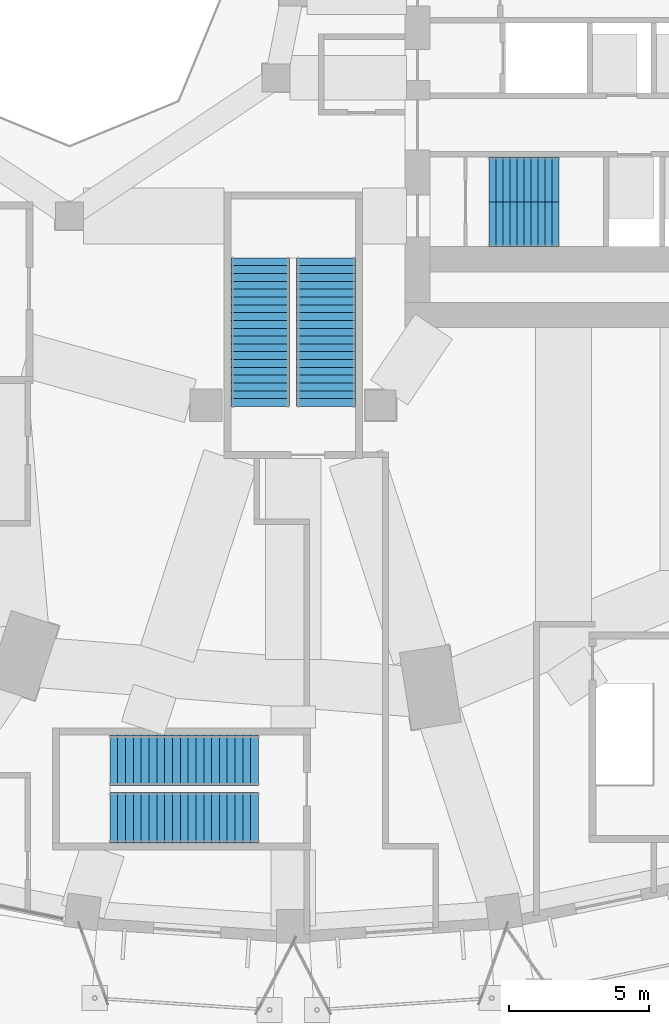
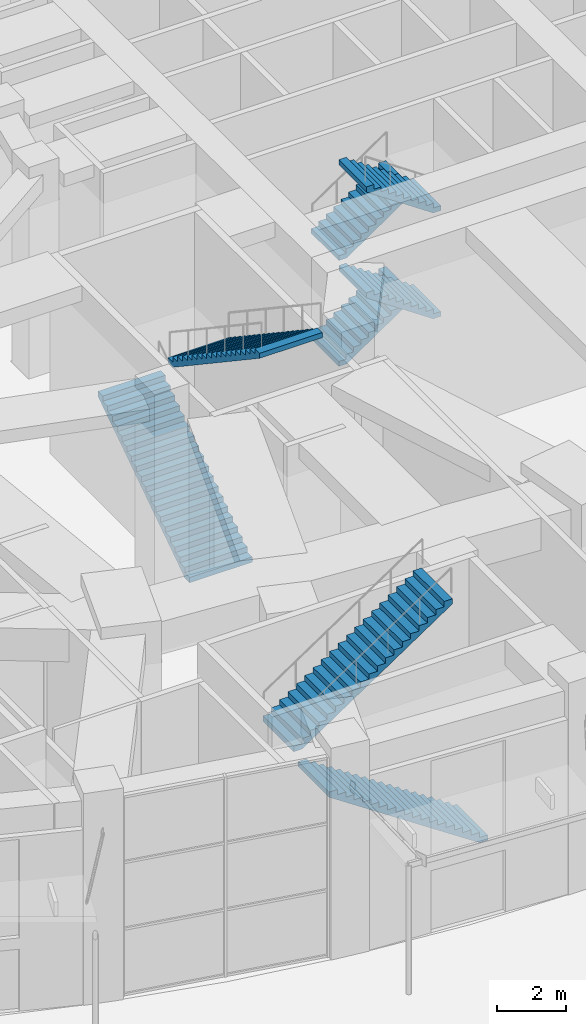
# One storey, part 41 of 60: 8 stair flights, 3 elements without a shape of their own.
"""IFC4 building model written with IfcOpenShell, lengths in metres."""

from ifc_helpers import new_model, si_unit, direction, frame, origin, place, context, subcontext, project, spatial, polyline, outline, extrude, material, type_object, element, aggregate, save


model = new_model("IFC4")

# Units and contexts
model_context = context("Model", 3, precision=1e-05, world=origin(), true_north=direction((0.0, 1.0)))
body_context = subcontext(model_context, "Body", "Model", "MODEL_VIEW")
ifc_project = project(units=[si_unit("LENGTHUNIT", "METRE"), si_unit("AREAUNIT", "SQUARE_METRE"), si_unit("VOLUMEUNIT", "CUBIC_METRE"), si_unit("PLANEANGLEUNIT", "RADIAN"), si_unit("MASSUNIT", "GRAM", prefix="KILO")], contexts=[model_context])

# Site, building, storey
site_placement = place(None, origin())
site = spatial("IfcSite", under=ifc_project, at=site_placement, CompositionType="ELEMENT")
building_placement = place(site_placement, origin())
building = spatial("IfcBuilding", under=site, at=building_placement, Name="Taillehof Tower", CompositionType="ELEMENT")
storey_placement = place(building_placement, origin())
storey = spatial("IfcBuildingStorey", under=building, at=storey_placement, Name="L00", CompositionType="ELEMENT", Elevation=0.0)

# Stair, stair flights
ifc_material_1 = material(Name="Concrete C40/50", Category="concrete")
stair_type_1 = type_object("IfcStairType", Name="Exit stair half-turn", PredefinedType="HALF_TURN_STAIR", material=ifc_material_1)
stair_1_placement = place(storey_placement, origin())
stair_1 = element("IfcStair", 1, at=stair_1_placement, inside=storey, type_object=stair_type_1, Name="Exit stair S2", PredefinedType="HALF_TURN_STAIR")
ifc_material_2 = material(Name="Concrete C40/50", Category="concrete")
stair_flight_type_1 = type_object("IfcStairFlightType", Name="Stair flight 1600 riser 170.5 going 250", PredefinedType="STRAIGHT", material=ifc_material_2)
stair_flight_1_placement = place(storey_placement, frame((7.0, -6.699951171875, 0.0), z_axis=(0.0, 0.0, 1.0), x_axis=(1.0, 0.0, 0.0)))
stair_flight_1 = element("IfcStairFlight", 2, at=stair_flight_1_placement, type_object=stair_flight_type_1, Name="S2 flight 1", NumberOfRisers=11, NumberOfTreads=10, PredefinedType="STRAIGHT", RiserHeight=0.170454545, TreadLength=0.25, context=body_context, shape_type="SweptSolid", body=[
    extrude(outline(polyline([(0.0, 0.0), (0.0, 0.005126953125), (0.0, 0.010009765625), (0.0, 0.01513671875), (0.0, 0.02001953125), (0.0, 0.025146484375), (0.0, 0.030029296875), (0.0, 0.03515625), (0.0, 0.0400390625), (0.0, 0.045166015625), (0.0, 0.050048828125), (0.0, 0.05517578125), (0.0, 0.06005859375), (0.0, 0.065185546875), (0.0, 0.070068359375), (0.0, 0.0751953125), (0.0, 0.080322265625), (0.0, 0.085205078125), (0.0, 0.09033203125), (0.0, 0.09521484375), (0.0, 0.100341796875), (0.0, 0.105224609375), (0.0, 0.1103515625), (0.0, 0.115234375), (0.0, 0.120361328125), (0.0, 0.125244140625), (0.0, 0.13037109375), (0.0, 0.13525390625), (0.0, 0.140380859375), (0.0, 0.1455078125), (0.0, 0.150390625), (0.0, 0.155517578125), (0.0, 0.160400390625), (0.0, 0.16552734375), (0.0, 0.17041015625), (0.25, 0.17041015625), (0.25, 0.3408203125), (0.5, 0.3408203125), (0.5, 0.511474609375), (0.75, 0.511474609375), (0.75, 0.681884765625), (1.0, 0.681884765625), (1.0, 0.852294921875), (1.25, 0.852294921875), (1.25, 1.022705078125), (1.5, 1.022705078125), (1.5, 1.193115234375), (1.75, 1.193115234375), (1.75, 1.363525390625), (2.0, 1.363525390625), (2.0, 1.5341796875), (2.25, 1.5341796875), (2.25, 1.70458984375), (2.5, 1.70458984375), (2.5, 1.69921875), (2.5, 1.69384765625), (2.5, 1.6884765625), (2.5, 1.68310546875), (2.5, 1.677978515625), (2.5, 1.672607421875), (2.5, 1.667236328125), (2.5, 1.661865234375), (2.5, 1.656494140625), (2.5, 1.651123046875), (2.5, 1.645751953125), (2.5, 1.640625), (2.5, 1.63525390625), (2.5, 1.6298828125), (2.5, 1.62451171875), (2.5, 1.619140625), (2.5, 1.61376953125), (2.5, 1.6083984375), (2.5, 1.603271484375), (2.5, 1.597900390625), (2.5, 1.592529296875), (2.5, 1.587158203125), (2.5, 1.581787109375), (2.5, 1.576416015625), (2.5, 1.571044921875), (2.5, 1.56591796875), (2.5, 1.560546875), (2.5, 1.55517578125), (2.5, 1.5498046875), (2.5, 1.54443359375), (2.5, 1.5390625), (2.5, 1.53369140625), (2.5, 1.528564453125), (2.5, 1.523193359375), (0.26611328125, 0.0), (0.0, 0.0)])), frame((0.0, 0.800048828125, 0.0), z_axis=(0.0, -1.0, 0.0), x_axis=(1.0, 0.0, 0.0)), (0.0, 0.0, 1.0), 1.6),
])
stair_flight_2_placement = place(storey_placement, frame((9.5, -8.300048828125, 1.875), z_axis=(0.0, 0.0, 1.0), x_axis=(-1.0, 0.0, 0.0)))
stair_flight_2 = element("IfcStairFlight", 3, at=stair_flight_2_placement, type_object=stair_flight_type_1, Name="S2 flight 2", NumberOfRisers=11, NumberOfTreads=10, PredefinedType="STRAIGHT", RiserHeight=0.170454545, TreadLength=0.25, context=body_context, shape_type="SweptSolid", body=[
    extrude(outline(polyline([(0.0, 0.0), (0.0, 0.005126953125), (0.0, 0.010009765625), (0.0, 0.01513671875), (0.0, 0.02001953125), (0.0, 0.025146484375), (0.0, 0.030029296875), (0.0, 0.03515625), (0.0, 0.0400390625), (0.0, 0.045166015625), (0.0, 0.050048828125), (0.0, 0.05517578125), (0.0, 0.06005859375), (0.0, 0.065185546875), (0.0, 0.070068359375), (0.0, 0.0751953125), (0.0, 0.080322265625), (0.0, 0.085205078125), (0.0, 0.09033203125), (0.0, 0.09521484375), (0.0, 0.100341796875), (0.0, 0.105224609375), (0.0, 0.1103515625), (0.0, 0.115234375), (0.0, 0.120361328125), (0.0, 0.125244140625), (0.0, 0.13037109375), (0.0, 0.13525390625), (0.0, 0.140380859375), (0.0, 0.1455078125), (0.0, 0.150390625), (0.0, 0.155517578125), (0.0, 0.160400390625), (0.0, 0.16552734375), (0.0, 0.17041015625), (0.25, 0.17041015625), (0.25, 0.3408203125), (0.5, 0.3408203125), (0.5, 0.511474609375), (0.75, 0.511474609375), (0.75, 0.681884765625), (1.0, 0.681884765625), (1.0, 0.852294921875), (1.25, 0.852294921875), (1.25, 1.022705078125), (1.5, 1.022705078125), (1.5, 1.193115234375), (1.75, 1.193115234375), (1.75, 1.363525390625), (2.0, 1.363525390625), (2.0, 1.5341796875), (2.25, 1.5341796875), (2.25, 1.70458984375), (2.5, 1.70458984375), (2.5, 1.69921875), (2.5, 1.69384765625), (2.5, 1.6884765625), (2.5, 1.68310546875), (2.5, 1.677978515625), (2.5, 1.672607421875), (2.5, 1.667236328125), (2.5, 1.661865234375), (2.5, 1.656494140625), (2.5, 1.651123046875), (2.5, 1.645751953125), (2.5, 1.640625), (2.5, 1.63525390625), (2.5, 1.6298828125), (2.5, 1.62451171875), (2.5, 1.619140625), (2.5, 1.61376953125), (2.5, 1.6083984375), (2.5, 1.603271484375), (2.5, 1.597900390625), (2.5, 1.592529296875), (2.5, 1.587158203125), (2.5, 1.581787109375), (2.5, 1.576416015625), (2.5, 1.571044921875), (2.5, 1.56591796875), (2.5, 1.560546875), (2.5, 1.55517578125), (2.5, 1.5498046875), (2.5, 1.54443359375), (2.5, 1.5390625), (2.5, 1.53369140625), (2.5, 1.528564453125), (2.5, 1.523193359375), (0.26611328125, 0.0), (0.0, 0.0)])), frame((0.0, 0.800048828125, 0.0), z_axis=(0.0, -1.0, 0.0), x_axis=(1.0, 0.0, 0.0)), (0.0, 0.0, 1.0), 1.6),
])
stair_flight_3_placement = place(storey_placement, frame((7.0, -6.699951171875, 3.75), z_axis=(0.0, 0.0, 1.0), x_axis=(1.0, 0.0, 0.0)))
stair_flight_3 = element("IfcStairFlight", 4, at=stair_flight_3_placement, type_object=stair_flight_type_1, Name="S2 flight 3", NumberOfRisers=11, NumberOfTreads=10, PredefinedType="STRAIGHT", RiserHeight=0.170454545, TreadLength=0.25, context=body_context, shape_type="SweptSolid", body=[
    extrude(outline(polyline([(0.0, 0.0), (0.0, 0.005126953125), (0.0, 0.010009765625), (0.0, 0.01513671875), (0.0, 0.02001953125), (0.0, 0.025146484375), (0.0, 0.030029296875), (0.0, 0.03515625), (0.0, 0.0400390625), (0.0, 0.045166015625), (0.0, 0.050048828125), (0.0, 0.05517578125), (0.0, 0.06005859375), (0.0, 0.065185546875), (0.0, 0.070068359375), (0.0, 0.0751953125), (0.0, 0.080322265625), (0.0, 0.085205078125), (0.0, 0.09033203125), (0.0, 0.09521484375), (0.0, 0.100341796875), (0.0, 0.105224609375), (0.0, 0.1103515625), (0.0, 0.115234375), (0.0, 0.120361328125), (0.0, 0.125244140625), (0.0, 0.13037109375), (0.0, 0.13525390625), (0.0, 0.140380859375), (0.0, 0.1455078125), (0.0, 0.150390625), (0.0, 0.155517578125), (0.0, 0.160400390625), (0.0, 0.16552734375), (0.0, 0.17041015625), (0.25, 0.17041015625), (0.25, 0.3408203125), (0.5, 0.3408203125), (0.5, 0.511474609375), (0.75, 0.511474609375), (0.75, 0.681884765625), (1.0, 0.681884765625), (1.0, 0.852294921875), (1.25, 0.852294921875), (1.25, 1.022705078125), (1.5, 1.022705078125), (1.5, 1.193115234375), (1.75, 1.193115234375), (1.75, 1.363525390625), (2.0, 1.363525390625), (2.0, 1.5341796875), (2.25, 1.5341796875), (2.25, 1.70458984375), (2.5, 1.70458984375), (2.5, 1.69921875), (2.5, 1.69384765625), (2.5, 1.6884765625), (2.5, 1.68310546875), (2.5, 1.677978515625), (2.5, 1.672607421875), (2.5, 1.667236328125), (2.5, 1.661865234375), (2.5, 1.656494140625), (2.5, 1.651123046875), (2.5, 1.645751953125), (2.5, 1.640625), (2.5, 1.63525390625), (2.5, 1.6298828125), (2.5, 1.62451171875), (2.5, 1.619140625), (2.5, 1.61376953125), (2.5, 1.6083984375), (2.5, 1.603271484375), (2.5, 1.597900390625), (2.5, 1.592529296875), (2.5, 1.587158203125), (2.5, 1.581787109375), (2.5, 1.576416015625), (2.5, 1.571044921875), (2.5, 1.56591796875), (2.5, 1.560546875), (2.5, 1.55517578125), (2.5, 1.5498046875), (2.5, 1.54443359375), (2.5, 1.5390625), (2.5, 1.53369140625), (2.5, 1.528564453125), (2.5, 1.523193359375), (0.26611328125, 0.0), (0.0, 0.0)])), frame((0.0, 0.800048828125, 0.0), z_axis=(0.0, -1.0, 0.0), x_axis=(1.0, 0.0, 0.0)), (0.0, 0.0, 1.0), 1.6),
])
stair_flight_4_placement = place(storey_placement, frame((9.5, -8.300048828125, 5.625), z_axis=(0.0, 0.0, 1.0), x_axis=(-1.0, 0.0, 0.0)))
stair_flight_4 = element("IfcStairFlight", 5, at=stair_flight_4_placement, type_object=stair_flight_type_1, Name="S2 flight 4", NumberOfRisers=11, NumberOfTreads=10, PredefinedType="STRAIGHT", RiserHeight=0.170454545, TreadLength=0.25, context=body_context, shape_type="SweptSolid", body=[
    extrude(outline(polyline([(0.0, 0.0), (0.0, 0.005126953125), (0.0, 0.010009765625), (0.0, 0.01513671875), (0.0, 0.02001953125), (0.0, 0.025146484375), (0.0, 0.030029296875), (0.0, 0.03515625), (0.0, 0.0400390625), (0.0, 0.045166015625), (0.0, 0.050048828125), (0.0, 0.05517578125), (0.0, 0.06005859375), (0.0, 0.065185546875), (0.0, 0.070068359375), (0.0, 0.0751953125), (0.0, 0.080322265625), (0.0, 0.085205078125), (0.0, 0.09033203125), (0.0, 0.09521484375), (0.0, 0.100341796875), (0.0, 0.105224609375), (0.0, 0.1103515625), (0.0, 0.115234375), (0.0, 0.120361328125), (0.0, 0.125244140625), (0.0, 0.13037109375), (0.0, 0.13525390625), (0.0, 0.140380859375), (0.0, 0.1455078125), (0.0, 0.150390625), (0.0, 0.155517578125), (0.0, 0.160400390625), (0.0, 0.16552734375), (0.0, 0.17041015625), (0.25, 0.17041015625), (0.25, 0.3408203125), (0.5, 0.3408203125), (0.5, 0.511474609375), (0.75, 0.511474609375), (0.75, 0.681884765625), (1.0, 0.681884765625), (1.0, 0.852294921875), (1.25, 0.852294921875), (1.25, 1.022705078125), (1.5, 1.022705078125), (1.5, 1.193115234375), (1.75, 1.193115234375), (1.75, 1.363525390625), (2.0, 1.363525390625), (2.0, 1.5341796875), (2.25, 1.5341796875), (2.25, 1.70458984375), (2.5, 1.70458984375), (2.5, 1.69921875), (2.5, 1.69384765625), (2.5, 1.6884765625), (2.5, 1.68310546875), (2.5, 1.677978515625), (2.5, 1.672607421875), (2.5, 1.667236328125), (2.5, 1.661865234375), (2.5, 1.656494140625), (2.5, 1.651123046875), (2.5, 1.645751953125), (2.5, 1.640625), (2.5, 1.63525390625), (2.5, 1.6298828125), (2.5, 1.62451171875), (2.5, 1.619140625), (2.5, 1.61376953125), (2.5, 1.6083984375), (2.5, 1.603271484375), (2.5, 1.597900390625), (2.5, 1.592529296875), (2.5, 1.587158203125), (2.5, 1.581787109375), (2.5, 1.576416015625), (2.5, 1.571044921875), (2.5, 1.56591796875), (2.5, 1.560546875), (2.5, 1.55517578125), (2.5, 1.5498046875), (2.5, 1.54443359375), (2.5, 1.5390625), (2.5, 1.53369140625), (2.5, 1.528564453125), (2.5, 1.523193359375), (0.26611328125, 0.0), (0.0, 0.0)])), frame((0.0, 0.800048828125, 0.0), z_axis=(0.0, -1.0, 0.0), x_axis=(1.0, 0.0, 0.0)), (0.0, 0.0, 1.0), 1.6),
])
aggregate(stair_1, [stair_flight_1, stair_flight_2, stair_flight_3, stair_flight_4])

ifc_material_3 = material(Name="Concrete C30/37", Category="concrete")
stair_type_2 = type_object("IfcStairType", Name="Escape stair 1800 mm", PredefinedType="HALF_TURN_STAIR", material=ifc_material_3)
stair_2_placement = place(storey_placement, origin())
stair_2 = element("IfcStair", 6, at=stair_2_placement, inside=storey, type_object=stair_type_2, Name="Escape stair P4", PredefinedType="HALF_TURN_STAIR")
ifc_material_4 = material(Name="Concrete C30/37", Category="concrete")
stair_flight_type_2 = type_object("IfcStairFlightType", Name="Stair flight 1800 mm", PredefinedType="STRAIGHT", material=ifc_material_4)
stair_flight_5_placement = place(storey_placement, frame((-1.239990234375, -29.52490234375, 0.0), z_axis=(0.0, 0.0, 1.0), x_axis=(-1.0, 0.0, 0.0)))
stair_flight_5 = element("IfcStairFlight", 7, at=stair_flight_5_placement, type_object=stair_flight_type_2, Name="P4 flight 1", NumberOfRisers=20, NumberOfTreads=19, PredefinedType="STRAIGHT", RiserHeight=0.1875, TreadLength=0.28, context=body_context, shape_type="SweptSolid", body=[
    extrude(outline(polyline([(0.0, 0.0), (0.0, 0.003173828125), (0.0, 0.006103515625), (0.0, 0.00927734375), (0.0, 0.01220703125), (0.0, 0.015380859375), (0.0, 0.0185546875), (0.0, 0.021484375), (0.0, 0.024658203125), (0.0, 0.027587890625), (0.0, 0.03076171875), (0.0, 0.03369140625), (0.0, 0.036865234375), (0.0, 0.0400390625), (0.0, 0.04296875), (0.0, 0.046142578125), (0.0, 0.049072265625), (0.0, 0.05224609375), (0.0, 0.055419921875), (0.0, 0.058349609375), (0.0, 0.0615234375), (0.0, 0.064453125), (0.0, 0.067626953125), (0.0, 0.07080078125), (0.0, 0.07373046875), (0.0, 0.076904296875), (0.0, 0.079833984375), (0.0, 0.0830078125), (0.0, 0.086181640625), (0.0, 0.089111328125), (0.0, 0.09228515625), (0.0, 0.09521484375), (0.0, 0.098388671875), (0.0, 0.101318359375), (0.0, 0.1044921875), (0.0, 0.107666015625), (0.0, 0.110595703125), (0.0, 0.11376953125), (0.0, 0.11669921875), (0.0, 0.119873046875), (0.0, 0.123046875), (0.0, 0.1259765625), (0.0, 0.129150390625), (0.0, 0.132080078125), (0.0, 0.13525390625), (0.0, 0.138427734375), (0.0, 0.141357421875), (0.0, 0.14453125), (0.0, 0.1474609375), (0.0, 0.150634765625), (0.0, 0.15380859375), (0.0, 0.15673828125), (0.0, 0.159912109375), (0.0, 0.162841796875), (0.0, 0.166015625), (0.0, 0.1689453125), (0.0, 0.172119140625), (0.0, 0.17529296875), (0.0, 0.17822265625), (0.0, 0.181396484375), (0.0, 0.184326171875), (0.0, 0.1875), (0.280029296875, 0.1875), (0.280029296875, 0.375), (0.56005859375, 0.375), (0.56005859375, 0.5625), (0.840087890625, 0.5625), (0.840087890625, 0.75), (1.1201171875, 0.75), (1.1201171875, 0.9375), (1.39990234375, 0.9375), (1.39990234375, 1.125), (1.679931640625, 1.125), (1.679931640625, 1.3125), (1.9599609375, 1.3125), (1.9599609375, 1.5), (2.239990234375, 1.5), (2.239990234375, 1.6875), (2.52001953125, 1.6875), (2.52001953125, 1.875), (2.800048828125, 1.875), (2.800048828125, 2.0625), (3.080078125, 2.0625), (3.080078125, 2.25), (3.360107421875, 2.25), (3.360107421875, 2.4375), (3.639892578125, 2.4375), (3.639892578125, 2.625), (3.919921875, 2.625), (3.919921875, 2.8125), (4.199951171875, 2.8125), (4.199951171875, 3.0), (4.47998046875, 3.0), (4.47998046875, 3.1875), (4.760009765625, 3.1875), (4.760009765625, 3.375), (5.0400390625, 3.375), (5.0400390625, 3.5625), (5.320068359375, 3.5625), (5.320068359375, 3.5595703125), (5.320068359375, 3.556640625), (5.320068359375, 3.5537109375), (5.320068359375, 3.55078125), (5.320068359375, 3.547607421875), (5.320068359375, 3.544677734375), (5.320068359375, 3.541748046875), (5.320068359375, 3.538818359375), (5.320068359375, 3.535888671875), (5.320068359375, 3.532958984375), (5.320068359375, 3.530029296875), (5.320068359375, 3.527099609375), (5.320068359375, 3.524169921875), (5.320068359375, 3.52099609375), (5.320068359375, 3.51806640625), (5.320068359375, 3.51513671875), (5.320068359375, 3.51220703125), (5.320068359375, 3.50927734375), (5.320068359375, 3.50634765625), (5.320068359375, 3.50341796875), (5.320068359375, 3.50048828125), (5.320068359375, 3.497314453125), (5.320068359375, 3.494384765625), (5.320068359375, 3.491455078125), (5.320068359375, 3.488525390625), (5.320068359375, 3.485595703125), (5.320068359375, 3.482666015625), (5.320068359375, 3.479736328125), (5.320068359375, 3.476806640625), (5.320068359375, 3.473876953125), (5.320068359375, 3.470703125), (5.320068359375, 3.4677734375), (5.320068359375, 3.46484375), (5.320068359375, 3.4619140625), (5.320068359375, 3.458984375), (5.320068359375, 3.4560546875), (5.320068359375, 3.453125), (5.320068359375, 3.4501953125), (5.320068359375, 3.447265625), (5.320068359375, 3.444091796875), (5.320068359375, 3.441162109375), (5.320068359375, 3.438232421875), (5.320068359375, 3.435302734375), (5.320068359375, 3.432373046875), (5.320068359375, 3.429443359375), (5.320068359375, 3.426513671875), (5.320068359375, 3.423583984375), (5.320068359375, 3.420654296875), (5.320068359375, 3.41748046875), (5.320068359375, 3.41455078125), (5.320068359375, 3.41162109375), (5.320068359375, 3.40869140625), (5.320068359375, 3.40576171875), (5.320068359375, 3.40283203125), (5.320068359375, 3.39990234375), (5.320068359375, 3.39697265625), (5.320068359375, 3.39404296875), (5.320068359375, 3.390869140625), (5.320068359375, 3.387939453125), (5.320068359375, 3.385009765625), (5.320068359375, 3.382080078125), (0.26953125, 0.0), (0.0, 0.0)])), frame((0.0, 0.89990234375, 0.0), z_axis=(0.0, -1.0, 0.0), x_axis=(1.0, 0.0, 0.0)), (0.0, 0.0, 1.0), 1.8),
])
stair_flight_6_placement = place(storey_placement, frame((-6.56005859375, -27.47509765625, 3.75), z_axis=(0.0, 0.0, 1.0), x_axis=(1.0, 0.0, 0.0)))
stair_flight_6 = element("IfcStairFlight", 8, at=stair_flight_6_placement, type_object=stair_flight_type_2, Name="P4 flight 2", NumberOfRisers=20, NumberOfTreads=19, PredefinedType="STRAIGHT", RiserHeight=0.1875, TreadLength=0.28, context=body_context, shape_type="SweptSolid", body=[
    extrude(outline(polyline([(0.0, 0.0), (0.0, 0.003173828125), (0.0, 0.006103515625), (0.0, 0.00927734375), (0.0, 0.01220703125), (0.0, 0.015380859375), (0.0, 0.0185546875), (0.0, 0.021484375), (0.0, 0.024658203125), (0.0, 0.027587890625), (0.0, 0.03076171875), (0.0, 0.03369140625), (0.0, 0.036865234375), (0.0, 0.0400390625), (0.0, 0.04296875), (0.0, 0.046142578125), (0.0, 0.049072265625), (0.0, 0.05224609375), (0.0, 0.055419921875), (0.0, 0.058349609375), (0.0, 0.0615234375), (0.0, 0.064453125), (0.0, 0.067626953125), (0.0, 0.07080078125), (0.0, 0.07373046875), (0.0, 0.076904296875), (0.0, 0.079833984375), (0.0, 0.0830078125), (0.0, 0.086181640625), (0.0, 0.089111328125), (0.0, 0.09228515625), (0.0, 0.09521484375), (0.0, 0.098388671875), (0.0, 0.101318359375), (0.0, 0.1044921875), (0.0, 0.107666015625), (0.0, 0.110595703125), (0.0, 0.11376953125), (0.0, 0.11669921875), (0.0, 0.119873046875), (0.0, 0.123046875), (0.0, 0.1259765625), (0.0, 0.129150390625), (0.0, 0.132080078125), (0.0, 0.13525390625), (0.0, 0.138427734375), (0.0, 0.141357421875), (0.0, 0.14453125), (0.0, 0.1474609375), (0.0, 0.150634765625), (0.0, 0.15380859375), (0.0, 0.15673828125), (0.0, 0.159912109375), (0.0, 0.162841796875), (0.0, 0.166015625), (0.0, 0.1689453125), (0.0, 0.172119140625), (0.0, 0.17529296875), (0.0, 0.17822265625), (0.0, 0.181396484375), (0.0, 0.184326171875), (0.0, 0.1875), (0.280029296875, 0.1875), (0.280029296875, 0.375), (0.56005859375, 0.375), (0.56005859375, 0.5625), (0.840087890625, 0.5625), (0.840087890625, 0.75), (1.1201171875, 0.75), (1.1201171875, 0.9375), (1.39990234375, 0.9375), (1.39990234375, 1.125), (1.679931640625, 1.125), (1.679931640625, 1.3125), (1.9599609375, 1.3125), (1.9599609375, 1.5), (2.239990234375, 1.5), (2.239990234375, 1.6875), (2.52001953125, 1.6875), (2.52001953125, 1.875), (2.800048828125, 1.875), (2.800048828125, 2.0625), (3.080078125, 2.0625), (3.080078125, 2.25), (3.360107421875, 2.25), (3.360107421875, 2.4375), (3.639892578125, 2.4375), (3.639892578125, 2.625), (3.919921875, 2.625), (3.919921875, 2.8125), (4.199951171875, 2.8125), (4.199951171875, 3.0), (4.47998046875, 3.0), (4.47998046875, 3.1875), (4.760009765625, 3.1875), (4.760009765625, 3.375), (5.0400390625, 3.375), (5.0400390625, 3.5625), (5.320068359375, 3.5625), (5.320068359375, 3.5595703125), (5.320068359375, 3.556640625), (5.320068359375, 3.5537109375), (5.320068359375, 3.55078125), (5.320068359375, 3.547607421875), (5.320068359375, 3.544677734375), (5.320068359375, 3.541748046875), (5.320068359375, 3.538818359375), (5.320068359375, 3.535888671875), (5.320068359375, 3.532958984375), (5.320068359375, 3.530029296875), (5.320068359375, 3.527099609375), (5.320068359375, 3.524169921875), (5.320068359375, 3.52099609375), (5.320068359375, 3.51806640625), (5.320068359375, 3.51513671875), (5.320068359375, 3.51220703125), (5.320068359375, 3.50927734375), (5.320068359375, 3.50634765625), (5.320068359375, 3.50341796875), (5.320068359375, 3.50048828125), (5.320068359375, 3.497314453125), (5.320068359375, 3.494384765625), (5.320068359375, 3.491455078125), (5.320068359375, 3.488525390625), (5.320068359375, 3.485595703125), (5.320068359375, 3.482666015625), (5.320068359375, 3.479736328125), (5.320068359375, 3.476806640625), (5.320068359375, 3.473876953125), (5.320068359375, 3.470703125), (5.320068359375, 3.4677734375), (5.320068359375, 3.46484375), (5.320068359375, 3.4619140625), (5.320068359375, 3.458984375), (5.320068359375, 3.4560546875), (5.320068359375, 3.453125), (5.320068359375, 3.4501953125), (5.320068359375, 3.447265625), (5.320068359375, 3.444091796875), (5.320068359375, 3.441162109375), (5.320068359375, 3.438232421875), (5.320068359375, 3.435302734375), (5.320068359375, 3.432373046875), (5.320068359375, 3.429443359375), (5.320068359375, 3.426513671875), (5.320068359375, 3.423583984375), (5.320068359375, 3.420654296875), (5.320068359375, 3.41748046875), (5.320068359375, 3.41455078125), (5.320068359375, 3.41162109375), (5.320068359375, 3.40869140625), (5.320068359375, 3.40576171875), (5.320068359375, 3.40283203125), (5.320068359375, 3.39990234375), (5.320068359375, 3.39697265625), (5.320068359375, 3.39404296875), (5.320068359375, 3.390869140625), (5.320068359375, 3.387939453125), (5.320068359375, 3.385009765625), (5.320068359375, 3.382080078125), (0.26953125, 0.0), (0.0, 0.0)])), frame((0.0, 0.89990234375, 0.0), z_axis=(0.0, -1.0, 0.0), x_axis=(1.0, 0.0, 0.0)), (0.0, 0.0, 1.0), 1.8),
])
aggregate(stair_2, [stair_flight_5, stair_flight_6])

ifc_material_5 = material(Name="Concrete C30/37", Category="concrete")
stair_type_3 = type_object("IfcStairType", Name="Escape stair 2100 mm", PredefinedType="HALF_TURN_STAIR", material=ifc_material_5)
stair_3_placement = place(storey_placement, origin())
stair_3 = element("IfcStair", 9, at=stair_3_placement, inside=storey, type_object=stair_type_3, Name="Escape stair P2", PredefinedType="HALF_TURN_STAIR")
ifc_material_6 = material(Name="Concrete C30/37", Category="concrete")
stair_flight_type_3 = type_object("IfcStairFlightType", Name="Stair flight 2100 mm", PredefinedType="STRAIGHT", material=ifc_material_6)
stair_flight_7_placement = place(storey_placement, frame((-1.175048828125, -14.820068359375, 0.0), z_axis=(0.0, 0.0, 1.0), x_axis=(0.0, 1.0, 0.0)))
stair_flight_7 = element("IfcStairFlight", 10, at=stair_flight_7_placement, type_object=stair_flight_type_3, Name="P2 flight 1", NumberOfRisers=20, NumberOfTreads=19, PredefinedType="STRAIGHT", RiserHeight=0.1875, TreadLength=0.28, context=body_context, shape_type="SweptSolid", body=[
    extrude(outline(polyline([(0.0, 0.0), (0.0, 0.003173828125), (0.0, 0.006103515625), (0.0, 0.00927734375), (0.0, 0.01220703125), (0.0, 0.015380859375), (0.0, 0.0185546875), (0.0, 0.021484375), (0.0, 0.024658203125), (0.0, 0.027587890625), (0.0, 0.03076171875), (0.0, 0.03369140625), (0.0, 0.036865234375), (0.0, 0.0400390625), (0.0, 0.04296875), (0.0, 0.046142578125), (0.0, 0.049072265625), (0.0, 0.05224609375), (0.0, 0.055419921875), (0.0, 0.058349609375), (0.0, 0.0615234375), (0.0, 0.064453125), (0.0, 0.067626953125), (0.0, 0.07080078125), (0.0, 0.07373046875), (0.0, 0.076904296875), (0.0, 0.079833984375), (0.0, 0.0830078125), (0.0, 0.086181640625), (0.0, 0.089111328125), (0.0, 0.09228515625), (0.0, 0.09521484375), (0.0, 0.098388671875), (0.0, 0.101318359375), (0.0, 0.1044921875), (0.0, 0.107666015625), (0.0, 0.110595703125), (0.0, 0.11376953125), (0.0, 0.11669921875), (0.0, 0.119873046875), (0.0, 0.123046875), (0.0, 0.1259765625), (0.0, 0.129150390625), (0.0, 0.132080078125), (0.0, 0.13525390625), (0.0, 0.138427734375), (0.0, 0.141357421875), (0.0, 0.14453125), (0.0, 0.1474609375), (0.0, 0.150634765625), (0.0, 0.15380859375), (0.0, 0.15673828125), (0.0, 0.159912109375), (0.0, 0.162841796875), (0.0, 0.166015625), (0.0, 0.1689453125), (0.0, 0.172119140625), (0.0, 0.17529296875), (0.0, 0.17822265625), (0.0, 0.181396484375), (0.0, 0.184326171875), (0.0, 0.1875), (0.280029296875, 0.1875), (0.280029296875, 0.375), (0.56005859375, 0.375), (0.56005859375, 0.5625), (0.840087890625, 0.5625), (0.840087890625, 0.75), (1.1201171875, 0.75), (1.1201171875, 0.9375), (1.39990234375, 0.9375), (1.39990234375, 1.125), (1.679931640625, 1.125), (1.679931640625, 1.3125), (1.9599609375, 1.3125), (1.9599609375, 1.5), (2.239990234375, 1.5), (2.239990234375, 1.6875), (2.52001953125, 1.6875), (2.52001953125, 1.875), (2.800048828125, 1.875), (2.800048828125, 2.0625), (3.080078125, 2.0625), (3.080078125, 2.25), (3.360107421875, 2.25), (3.360107421875, 2.4375), (3.639892578125, 2.4375), (3.639892578125, 2.625), (3.919921875, 2.625), (3.919921875, 2.8125), (4.199951171875, 2.8125), (4.199951171875, 3.0), (4.47998046875, 3.0), (4.47998046875, 3.1875), (4.760009765625, 3.1875), (4.760009765625, 3.375), (5.0400390625, 3.375), (5.0400390625, 3.5625), (5.320068359375, 3.5625), (5.320068359375, 3.5595703125), (5.320068359375, 3.556640625), (5.320068359375, 3.5537109375), (5.320068359375, 3.55078125), (5.320068359375, 3.547607421875), (5.320068359375, 3.544677734375), (5.320068359375, 3.541748046875), (5.320068359375, 3.538818359375), (5.320068359375, 3.535888671875), (5.320068359375, 3.532958984375), (5.320068359375, 3.530029296875), (5.320068359375, 3.527099609375), (5.320068359375, 3.524169921875), (5.320068359375, 3.52099609375), (5.320068359375, 3.51806640625), (5.320068359375, 3.51513671875), (5.320068359375, 3.51220703125), (5.320068359375, 3.50927734375), (5.320068359375, 3.50634765625), (5.320068359375, 3.50341796875), (5.320068359375, 3.50048828125), (5.320068359375, 3.497314453125), (5.320068359375, 3.494384765625), (5.320068359375, 3.491455078125), (5.320068359375, 3.488525390625), (5.320068359375, 3.485595703125), (5.320068359375, 3.482666015625), (5.320068359375, 3.479736328125), (5.320068359375, 3.476806640625), (5.320068359375, 3.473876953125), (5.320068359375, 3.470703125), (5.320068359375, 3.4677734375), (5.320068359375, 3.46484375), (5.320068359375, 3.4619140625), (5.320068359375, 3.458984375), (5.320068359375, 3.4560546875), (5.320068359375, 3.453125), (5.320068359375, 3.4501953125), (5.320068359375, 3.447265625), (5.320068359375, 3.444091796875), (5.320068359375, 3.441162109375), (5.320068359375, 3.438232421875), (5.320068359375, 3.435302734375), (5.320068359375, 3.432373046875), (5.320068359375, 3.429443359375), (5.320068359375, 3.426513671875), (5.320068359375, 3.423583984375), (5.320068359375, 3.420654296875), (5.320068359375, 3.41748046875), (5.320068359375, 3.41455078125), (5.320068359375, 3.41162109375), (5.320068359375, 3.40869140625), (5.320068359375, 3.40576171875), (5.320068359375, 3.40283203125), (5.320068359375, 3.39990234375), (5.320068359375, 3.39697265625), (5.320068359375, 3.39404296875), (5.320068359375, 3.390869140625), (5.320068359375, 3.387939453125), (5.320068359375, 3.385009765625), (5.320068359375, 3.382080078125), (0.26953125, 0.0), (0.0, 0.0)])), frame((0.0, 1.050048828125, 0.0), z_axis=(0.0, -1.0, 0.0), x_axis=(1.0, 0.0, 0.0)), (0.0, 0.0, 1.0), 2.1),
])
stair_flight_8_placement = place(storey_placement, frame((1.175048828125, -9.5, 3.75), z_axis=(0.0, 0.0, 1.0), x_axis=(0.0, -1.0, 0.0)))
stair_flight_8 = element("IfcStairFlight", 11, at=stair_flight_8_placement, type_object=stair_flight_type_3, Name="P2 flight 2", NumberOfRisers=20, NumberOfTreads=19, PredefinedType="STRAIGHT", RiserHeight=0.1875, TreadLength=0.28, context=body_context, shape_type="SweptSolid", body=[
    extrude(outline(polyline([(0.0, 0.0), (0.0, 0.003173828125), (0.0, 0.006103515625), (0.0, 0.00927734375), (0.0, 0.01220703125), (0.0, 0.015380859375), (0.0, 0.0185546875), (0.0, 0.021484375), (0.0, 0.024658203125), (0.0, 0.027587890625), (0.0, 0.03076171875), (0.0, 0.03369140625), (0.0, 0.036865234375), (0.0, 0.0400390625), (0.0, 0.04296875), (0.0, 0.046142578125), (0.0, 0.049072265625), (0.0, 0.05224609375), (0.0, 0.055419921875), (0.0, 0.058349609375), (0.0, 0.0615234375), (0.0, 0.064453125), (0.0, 0.067626953125), (0.0, 0.07080078125), (0.0, 0.07373046875), (0.0, 0.076904296875), (0.0, 0.079833984375), (0.0, 0.0830078125), (0.0, 0.086181640625), (0.0, 0.089111328125), (0.0, 0.09228515625), (0.0, 0.09521484375), (0.0, 0.098388671875), (0.0, 0.101318359375), (0.0, 0.1044921875), (0.0, 0.107666015625), (0.0, 0.110595703125), (0.0, 0.11376953125), (0.0, 0.11669921875), (0.0, 0.119873046875), (0.0, 0.123046875), (0.0, 0.1259765625), (0.0, 0.129150390625), (0.0, 0.132080078125), (0.0, 0.13525390625), (0.0, 0.138427734375), (0.0, 0.141357421875), (0.0, 0.14453125), (0.0, 0.1474609375), (0.0, 0.150634765625), (0.0, 0.15380859375), (0.0, 0.15673828125), (0.0, 0.159912109375), (0.0, 0.162841796875), (0.0, 0.166015625), (0.0, 0.1689453125), (0.0, 0.172119140625), (0.0, 0.17529296875), (0.0, 0.17822265625), (0.0, 0.181396484375), (0.0, 0.184326171875), (0.0, 0.1875), (0.280029296875, 0.1875), (0.280029296875, 0.375), (0.56005859375, 0.375), (0.56005859375, 0.5625), (0.840087890625, 0.5625), (0.840087890625, 0.75), (1.1201171875, 0.75), (1.1201171875, 0.9375), (1.39990234375, 0.9375), (1.39990234375, 1.125), (1.679931640625, 1.125), (1.679931640625, 1.3125), (1.9599609375, 1.3125), (1.9599609375, 1.5), (2.239990234375, 1.5), (2.239990234375, 1.6875), (2.52001953125, 1.6875), (2.52001953125, 1.875), (2.800048828125, 1.875), (2.800048828125, 2.0625), (3.080078125, 2.0625), (3.080078125, 2.25), (3.360107421875, 2.25), (3.360107421875, 2.4375), (3.639892578125, 2.4375), (3.639892578125, 2.625), (3.919921875, 2.625), (3.919921875, 2.8125), (4.199951171875, 2.8125), (4.199951171875, 3.0), (4.47998046875, 3.0), (4.47998046875, 3.1875), (4.760009765625, 3.1875), (4.760009765625, 3.375), (5.0400390625, 3.375), (5.0400390625, 3.5625), (5.320068359375, 3.5625), (5.320068359375, 3.5595703125), (5.320068359375, 3.556640625), (5.320068359375, 3.5537109375), (5.320068359375, 3.55078125), (5.320068359375, 3.547607421875), (5.320068359375, 3.544677734375), (5.320068359375, 3.541748046875), (5.320068359375, 3.538818359375), (5.320068359375, 3.535888671875), (5.320068359375, 3.532958984375), (5.320068359375, 3.530029296875), (5.320068359375, 3.527099609375), (5.320068359375, 3.524169921875), (5.320068359375, 3.52099609375), (5.320068359375, 3.51806640625), (5.320068359375, 3.51513671875), (5.320068359375, 3.51220703125), (5.320068359375, 3.50927734375), (5.320068359375, 3.50634765625), (5.320068359375, 3.50341796875), (5.320068359375, 3.50048828125), (5.320068359375, 3.497314453125), (5.320068359375, 3.494384765625), (5.320068359375, 3.491455078125), (5.320068359375, 3.488525390625), (5.320068359375, 3.485595703125), (5.320068359375, 3.482666015625), (5.320068359375, 3.479736328125), (5.320068359375, 3.476806640625), (5.320068359375, 3.473876953125), (5.320068359375, 3.470703125), (5.320068359375, 3.4677734375), (5.320068359375, 3.46484375), (5.320068359375, 3.4619140625), (5.320068359375, 3.458984375), (5.320068359375, 3.4560546875), (5.320068359375, 3.453125), (5.320068359375, 3.4501953125), (5.320068359375, 3.447265625), (5.320068359375, 3.444091796875), (5.320068359375, 3.441162109375), (5.320068359375, 3.438232421875), (5.320068359375, 3.435302734375), (5.320068359375, 3.432373046875), (5.320068359375, 3.429443359375), (5.320068359375, 3.426513671875), (5.320068359375, 3.423583984375), (5.320068359375, 3.420654296875), (5.320068359375, 3.41748046875), (5.320068359375, 3.41455078125), (5.320068359375, 3.41162109375), (5.320068359375, 3.40869140625), (5.320068359375, 3.40576171875), (5.320068359375, 3.40283203125), (5.320068359375, 3.39990234375), (5.320068359375, 3.39697265625), (5.320068359375, 3.39404296875), (5.320068359375, 3.390869140625), (5.320068359375, 3.387939453125), (5.320068359375, 3.385009765625), (5.320068359375, 3.382080078125), (0.26953125, 0.0), (0.0, 0.0)])), frame((0.0, 1.050048828125, 0.0), z_axis=(0.0, -1.0, 0.0), x_axis=(1.0, 0.0, 0.0)), (0.0, 0.0, 1.0), 2.1),
])
aggregate(stair_3, [stair_flight_7, stair_flight_8])

save(model, "model.ifc")
